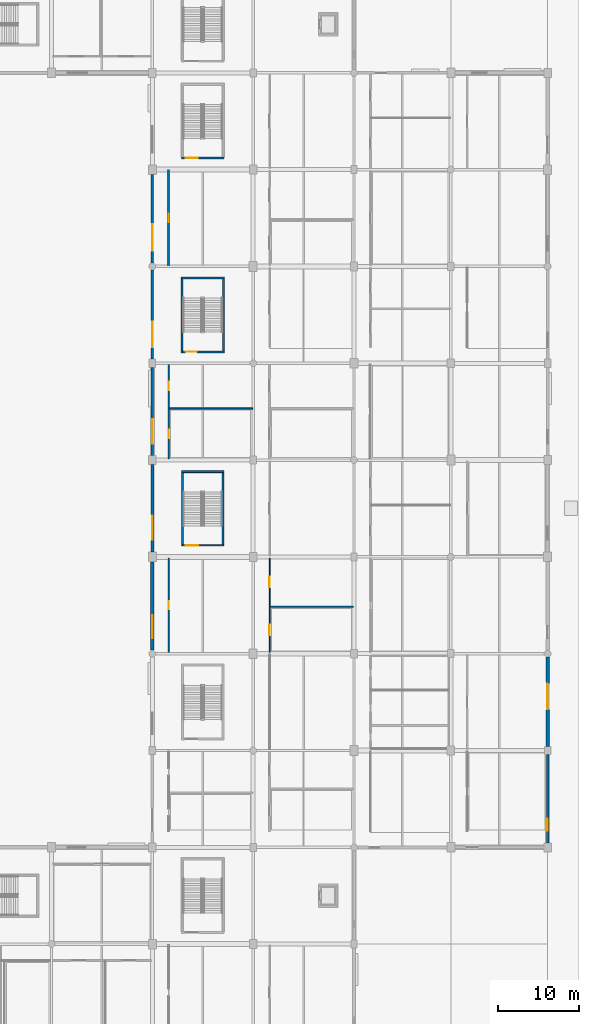
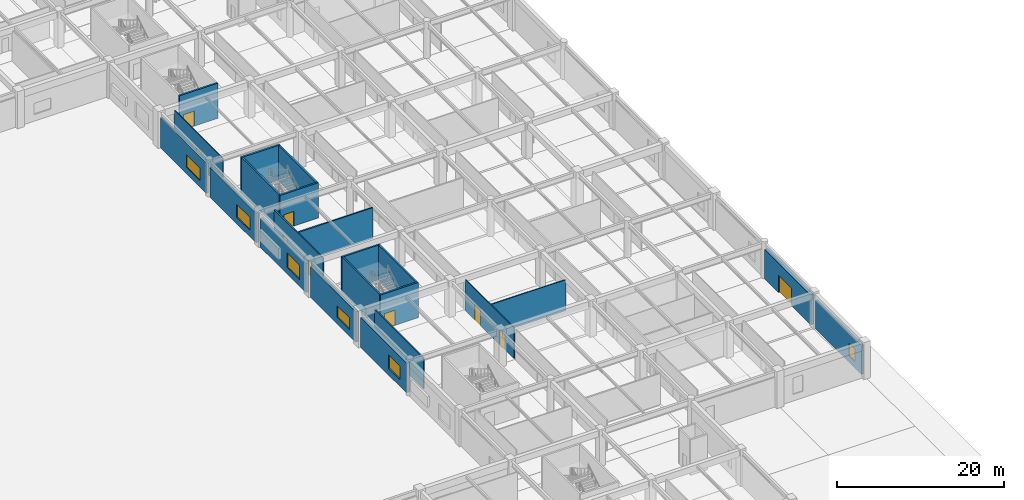
# One storey, part 25 of 69: 22 walls, 10 doors, 6 windows, 16 openings.
"""IFC4 building model written with IfcOpenShell, lengths in metres."""

from ifc_helpers import new_model, si_unit, direction, frame, frame_2d, origin, place, context, subcontext, project, spatial, rectangle, extrude, material, layer, layer_set, type_object, element, fill, save


model = new_model("IFC4")

# Units and contexts
model_context = context("Model", 3, precision=1e-05, world=origin(), true_north=direction((0.0, 1.0)))
body_context = subcontext(model_context, "Body", "Model", "MODEL_VIEW")
ifc_project = project(units=[si_unit("LENGTHUNIT", "METRE"), si_unit("AREAUNIT", "SQUARE_METRE"), si_unit("VOLUMEUNIT", "CUBIC_METRE"), si_unit("PLANEANGLEUNIT", "RADIAN"), si_unit("MASSUNIT", "GRAM", prefix="KILO")], contexts=[model_context])

# Site, building, storey
site_placement = place(None, origin())
site = spatial("IfcSite", under=ifc_project, at=site_placement, CompositionType="ELEMENT")
building_placement = place(site_placement, origin())
building = spatial("IfcBuilding", under=site, at=building_placement, Name="Kazenohara Klinker Stadium", CompositionType="ELEMENT")
storey_placement = place(building_placement, origin())
storey = spatial("IfcBuildingStorey", under=building, at=storey_placement, Name="L00", CompositionType="ELEMENT", Elevation=0.0)

# Wall, opening, door
ifc_material_1 = material(Name="Concrete C40/50", Category="concrete")
ifc_layer_1 = layer(ifc_material_1, 0.22998046875)
ifc_layer_set_1 = layer_set([ifc_layer_1], Name="Concrete C40/50")
wall_type_1 = type_object("IfcWallType", Name="WAL-CORE-230", PredefinedType="SHEAR", material=ifc_layer_set_1)
wall_1_placement = place(storey_placement, frame((178.6201171875, 73.43505859375, 0.0), z_axis=(0.0, 0.0, 1.0), x_axis=(1.0, 0.0, 0.0)))
wall_1 = element("IfcWall", 1, at=wall_1_placement, inside=storey, type_object=wall_type_1, Name="Stairwell shear wall ST22 L00 South", PredefinedType="SHEAR", context=body_context, shape_type="SweptSolid", body=[
    extrude(rectangle(XDim=5.259765625, YDim=0.22998046875, at=frame_2d((2.6298828125, 0.0))), origin(), (0.0, 0.0, 1.0), 5.139892578125),
])
opening_1_placement = place(wall_1_placement, frame((0.550048828125, 0.0, 0.0)))
opening_1 = element("IfcOpeningElement", 2, at=opening_1_placement, cuts=wall_1, Name="Opening SD02", PredefinedType="OPENING", context=body_context, shape_type="SweptSolid", body=[
    extrude(rectangle(XDim=1.5, YDim=2.199951171875, at=frame_2d((0.75, 1.10009765625))), frame((0.0, 0.125, 0.0), z_axis=(0.0, -1.0, 0.0), x_axis=(1.0, 0.0, 0.0)), (0.0, 0.0, 1.0), 0.25),
])
ifc_material_2 = material(Name="Flush painted steel fire door leaf", Category="steel")
door_type_1 = type_object("IfcDoorType", Name="DR-STR-1500x2200", OperationType="NOTDEFINED", PredefinedType="DOOR", material=ifc_material_2)
door_1_placement = place(opening_1_placement, origin())
door_1 = element("IfcDoor", 3, at=door_1_placement, inside=storey, type_object=door_type_1, Name="Escape stairwell fire door ST22-L00", OperationType="SINGLE_SWING_LEFT", OverallHeight=2.199951171875, OverallWidth=1.5, PredefinedType="DOOR", context=body_context, shape_type="SweptSolid", body=[
    extrude(rectangle(XDim=1.5, YDim=2.199951171875, at=frame_2d((0.75, 1.10009765625))), frame((0.0, 0.02490234375, 0.0), z_axis=(0.0, -1.0, 0.0), x_axis=(1.0, 0.0, 0.0)), (0.0, 0.0, 1.0), 0.050048828125),
])
fill(opening_1, door_1)

# Walls
wall_2_placement = place(storey_placement, frame((178.6201171875, 82.56494140625, 0.0), z_axis=(0.0, 0.0, 1.0), x_axis=(1.0, 0.0, 0.0)))
element("IfcWall", 4, at=wall_2_placement, inside=storey, type_object=wall_type_1, Name="Stairwell shear wall ST22 L00 North", PredefinedType="SHEAR", context=body_context, shape_type="SweptSolid", body=[
    extrude(rectangle(XDim=5.259765625, YDim=0.22998046875, at=frame_2d((2.6298828125, 0.0))), origin(), (0.0, 0.0, 1.0), 5.139892578125),
])
for number, where, z_axis, x_axis, name in (
    (5, (178.735107421875, 73.550048828125, 0.0), (0.0, 0.0, 1.0), (0.0, 1.0, 0.0), "Stairwell shear wall ST22 L00 West"),
    (6, (183.764892578125, 73.550048828125, 0.0), (0.0, 0.0, 1.0), (0.0, 1.0, 0.0), "Stairwell shear wall ST22 L00 East"),
):
    element("IfcWall", number, at=place(storey_placement, frame(where, z_axis=z_axis, x_axis=x_axis)), inside=storey, type_object=wall_type_1, Name=name, PredefinedType="SHEAR", context=body_context, shape_type="SweptSolid", body=[
        extrude(rectangle(XDim=8.89990234375, YDim=0.22998046875, at=frame_2d((4.449951171875, 0.0))), origin(), (0.0, 0.0, 1.0), 5.139892578125),
    ])

# Wall, opening, door
wall_3_placement = place(storey_placement, frame((178.590087890625, 121.43505859375, 0.0), z_axis=(0.0, 0.0, 1.0), x_axis=(1.0, 0.0, 0.0)))
wall_3 = element("IfcWall", 7, at=wall_3_placement, inside=storey, type_object=wall_type_1, Name="Stairwell shear wall ST24 L00 South", PredefinedType="SHEAR", context=body_context, shape_type="SweptSolid", body=[
    extrude(rectangle(XDim=5.31982421875, YDim=0.22998046875, at=frame_2d((2.659912109375, 0.0))), origin(), (0.0, 0.0, 1.0), 5.139892578125),
])
opening_2_placement = place(wall_3_placement, frame((0.550048828125, 0.0, 0.0)))
opening_2 = element("IfcOpeningElement", 8, at=opening_2_placement, cuts=wall_3, Name="Opening SD02", PredefinedType="OPENING", context=body_context, shape_type="SweptSolid", body=[
    extrude(rectangle(XDim=1.5, YDim=2.199951171875, at=frame_2d((0.75, 1.10009765625))), frame((0.0, 0.125, 0.0), z_axis=(0.0, -1.0, 0.0), x_axis=(1.0, 0.0, 0.0)), (0.0, 0.0, 1.0), 0.25),
])
door_2_placement = place(opening_2_placement, origin())
door_2 = element("IfcDoor", 9, at=door_2_placement, inside=storey, type_object=door_type_1, Name="Escape stairwell fire door ST24-L00", OperationType="SINGLE_SWING_LEFT", OverallHeight=2.199951171875, OverallWidth=1.5, PredefinedType="DOOR", context=body_context, shape_type="SweptSolid", body=[
    extrude(rectangle(XDim=1.5, YDim=2.199951171875, at=frame_2d((0.75, 1.10009765625))), frame((0.0, 0.02490234375, 0.0), z_axis=(0.0, -1.0, 0.0), x_axis=(1.0, 0.0, 0.0)), (0.0, 0.0, 1.0), 0.050048828125),
])
fill(opening_2, door_2)

ifc_layer_2 = layer(ifc_material_1, 0.25)
ifc_layer_set_2 = layer_set([ifc_layer_2], Name="Concrete C40/50")
wall_type_2 = type_object("IfcWallType", Name="WAL-CORE-250", PredefinedType="SHEAR", material=ifc_layer_set_2)
wall_4_placement = place(storey_placement, frame((178.580078125, 97.425048828125, 0.0), z_axis=(0.0, 0.0, 1.0), x_axis=(1.0, 0.0, 0.0)))
wall_4 = element("IfcWall", 10, at=wall_4_placement, inside=storey, type_object=wall_type_2, Name="Stairwell shear wall ST23 L00 South", PredefinedType="SHEAR", context=body_context, shape_type="SweptSolid", body=[
    extrude(rectangle(XDim=5.33984375, YDim=0.25, at=frame_2d((2.669921875, 0.0))), origin(), (0.0, 0.0, 1.0), 5.139892578125),
])
opening_3_placement = place(wall_4_placement, frame((0.550048828125, 0.0, 0.0)))
opening_3 = element("IfcOpeningElement", 11, at=opening_3_placement, cuts=wall_4, Name="Opening SD01", PredefinedType="OPENING", context=body_context, shape_type="SweptSolid", body=[
    extrude(rectangle(XDim=1.39990234375, YDim=2.14990234375, at=frame_2d((0.699951171875, 1.074951171875))), frame((0.0, 0.135009765625, 0.0), z_axis=(0.0, -1.0, 0.0), x_axis=(1.0, 0.0, 0.0)), (0.0, 0.0, 1.0), 0.27001953125),
])
door_type_2 = type_object("IfcDoorType", Name="DR-STR-1400x2150", OperationType="NOTDEFINED", PredefinedType="DOOR", material=ifc_material_2)
door_3_placement = place(opening_3_placement, origin())
door_3 = element("IfcDoor", 12, at=door_3_placement, inside=storey, type_object=door_type_2, Name="Escape stairwell fire door ST23-L00", OperationType="SINGLE_SWING_LEFT", OverallHeight=2.14990234375, OverallWidth=1.39990234375, PredefinedType="DOOR", context=body_context, shape_type="SweptSolid", body=[
    extrude(rectangle(XDim=1.39990234375, YDim=2.14990234375, at=frame_2d((0.699951171875, 1.074951171875))), frame((0.0, 0.02490234375, 0.0), z_axis=(0.0, -1.0, 0.0), x_axis=(1.0, 0.0, 0.0)), (0.0, 0.0, 1.0), 0.050048828125),
])
fill(opening_3, door_3)

# Walls
wall_5_placement = place(storey_placement, frame((178.580078125, 106.574951171875, 0.0), z_axis=(0.0, 0.0, 1.0), x_axis=(1.0, 0.0, 0.0)))
element("IfcWall", 13, at=wall_5_placement, inside=storey, type_object=wall_type_2, Name="Stairwell shear wall ST23 L00 North", PredefinedType="SHEAR", context=body_context, shape_type="SweptSolid", body=[
    extrude(rectangle(XDim=5.33984375, YDim=0.25, at=frame_2d((2.669921875, 0.0))), origin(), (0.0, 0.0, 1.0), 5.139892578125),
])
for number, where, z_axis, x_axis, name in (
    (14, (178.705078125, 97.550048828125, 0.0), (0.0, 0.0, 1.0), (0.0, 1.0, 0.0), "Stairwell shear wall ST23 L00 West"),
    (15, (183.794921875, 97.550048828125, 0.0), (0.0, 0.0, 1.0), (0.0, 1.0, 0.0), "Stairwell shear wall ST23 L00 East"),
):
    element("IfcWall", number, at=place(storey_placement, frame(where, z_axis=z_axis, x_axis=x_axis)), inside=storey, type_object=wall_type_2, Name=name, PredefinedType="SHEAR", context=body_context, shape_type="SweptSolid", body=[
        extrude(rectangle(XDim=8.89990234375, YDim=0.25, at=frame_2d((4.449951171875, 0.0))), origin(), (0.0, 0.0, 1.0), 5.139892578125),
    ])

# Wall, opening, window
ifc_material_3 = material(Name="Clinker brick masonry", Category="masonry")
ifc_layer_3 = layer(ifc_material_3, 0.280029296875)
ifc_layer_set_3 = layer_set([ifc_layer_3], Name="Clinker brick masonry")
wall_type_3 = type_object("IfcWallType", Name="WAL-EXT-CB280", PredefinedType="SOLIDWALL", material=ifc_layer_set_3)
wall_6_placement = place(storey_placement, frame((175.0, 108.428955078125, 0.0), z_axis=(0.0, 0.0, 1.0), x_axis=(0.0, 1.0, 0.0)))
wall_6 = element("IfcWall", 16, at=wall_6_placement, inside=storey, type_object=wall_type_3, Name="Clinker brick cavity wall EW06 L00 Y14-9", PredefinedType="SOLIDWALL", context=body_context, shape_type="SweptSolid", body=[
    extrude(rectangle(XDim=10.967041015625, YDim=0.280029296875, at=frame_2d((5.4833984375, 0.0))), origin(), (0.0, 0.0, 1.0), 4.43994140625),
])
opening_4_placement = place(wall_6_placement, frame((1.5, 0.0, 0.949951171875)))
opening_4 = element("IfcOpeningElement", 17, at=opening_4_placement, cuts=wall_6, Name="Opening W33", PredefinedType="OPENING", context=body_context, shape_type="SweptSolid", body=[
    extrude(rectangle(XDim=3.300048828125, YDim=1.800048828125, at=frame_2d((1.64990234375, 0.89990234375))), frame((0.0, 0.14990234375, 0.0), z_axis=(0.0, -1.0, 0.0), x_axis=(1.0, 0.0, 0.0)), (0.0, 0.0, 1.0), 0.300048828125),
])
ifc_material_4 = material(Name="Dark bronze aluminium frame and triple glazing", Category="aluminium")
window_type_1 = type_object("IfcWindowType", Name="WIN-AS-33", PartitioningType="SINGLE_PANEL", PredefinedType="WINDOW", material=ifc_material_4)
window_1_placement = place(opening_4_placement, origin())
window_1 = element("IfcWindow", 18, at=window_1_placement, inside=storey, type_object=window_type_1, Name="Horizontal-mullion ladder window W33 L00 Y14-9", OverallHeight=1.800048828125, OverallWidth=3.300048828125, PartitioningType="SINGLE_PANEL", PredefinedType="WINDOW", context=body_context, shape_type="SweptSolid", body=[
    extrude(rectangle(XDim=3.300048828125, YDim=1.800048828125, at=frame_2d((1.64990234375, 0.89990234375))), frame((0.0, 0.030029296875, 0.0), z_axis=(0.0, -1.0, 0.0), x_axis=(1.0, 0.0, 0.0)), (0.0, 0.0, 1.0), 0.06005859375),
])
fill(opening_4, window_1)

wall_7_placement = place(storey_placement, frame((224.0, 36.553955078125, 0.0), z_axis=(0.0, 0.0, 1.0), x_axis=(0.0, 1.0, 0.0)))
wall_7 = element("IfcWall", 19, at=wall_7_placement, inside=storey, type_object=wall_type_3, Name="Clinker brick cavity wall EW06 L00 Y18-3", PredefinedType="SOLIDWALL", context=body_context, shape_type="SweptSolid", body=[
    extrude(rectangle(XDim=10.942138671875, YDim=0.280029296875, at=frame_2d((5.47119140625, 0.0))), origin(), (0.0, 0.0, 1.0), 4.239990234375),
])
opening_5_placement = place(wall_7_placement, frame((1.5, 0.0, 0.949951171875)))
opening_5 = element("IfcOpeningElement", 20, at=opening_5_placement, cuts=wall_7, Name="Opening W09", PredefinedType="OPENING", context=body_context, shape_type="SweptSolid", body=[
    extrude(rectangle(XDim=1.5, YDim=1.800048828125, at=frame_2d((0.75, 0.89990234375))), frame((0.0, 0.14990234375, 0.0), z_axis=(0.0, -1.0, 0.0), x_axis=(1.0, 0.0, 0.0)), (0.0, 0.0, 1.0), 0.300048828125),
])
window_type_2 = type_object("IfcWindowType", Name="WIN-AS-09", PartitioningType="SINGLE_PANEL", PredefinedType="WINDOW", material=ifc_material_4)
window_2_placement = place(opening_5_placement, origin())
window_2 = element("IfcWindow", 21, at=window_2_placement, inside=storey, type_object=window_type_2, Name="Horizontal-mullion ladder window W09 L00 Y18-3", OverallHeight=1.800048828125, OverallWidth=1.5, PartitioningType="SINGLE_PANEL", PredefinedType="WINDOW", context=body_context, shape_type="SweptSolid", body=[
    extrude(rectangle(XDim=1.5, YDim=1.800048828125, at=frame_2d((0.75, 0.89990234375))), frame((0.0, 0.030029296875, 0.0), z_axis=(0.0, -1.0, 0.0), x_axis=(1.0, 0.0, 0.0)), (0.0, 0.0, 1.0), 0.06005859375),
])
fill(opening_5, window_2)

ifc_layer_4 = layer(ifc_material_3, 0.31005859375)
ifc_layer_set_4 = layer_set([ifc_layer_4], Name="Clinker brick masonry")
wall_type_4 = type_object("IfcWallType", Name="WAL-EXT-CB310", PredefinedType="SOLIDWALL", material=ifc_layer_set_4)
wall_8_placement = place(storey_placement, frame((175.0, 96.50390625, 0.0), z_axis=(0.0, 0.0, 1.0), x_axis=(0.0, 1.0, 0.0)))
wall_8 = element("IfcWall", 22, at=wall_8_placement, inside=storey, type_object=wall_type_4, Name="Clinker brick cavity wall EW05 L00 Y14-8", PredefinedType="SOLIDWALL", context=body_context, shape_type="SweptSolid", body=[
    extrude(rectangle(XDim=11.067138671875, YDim=0.31005859375, at=frame_2d((5.53369140625, 0.0))), origin(), (0.0, 0.0, 1.0), 4.340087890625),
])
opening_6_placement = place(wall_8_placement, frame((1.5, 0.0, 0.949951171875)))
opening_6 = element("IfcOpeningElement", 23, at=opening_6_placement, cuts=wall_8, Name="Opening W32", PredefinedType="OPENING", context=body_context, shape_type="SweptSolid", body=[
    extrude(rectangle(XDim=3.14990234375, YDim=1.89990234375, at=frame_2d((1.574951171875, 0.949951171875))), frame((0.0, 0.1650390625, 0.0), z_axis=(0.0, -1.0, 0.0), x_axis=(1.0, 0.0, 0.0)), (0.0, 0.0, 1.0), 0.330078125),
])
window_type_3 = type_object("IfcWindowType", Name="WIN-AS-32", PartitioningType="SINGLE_PANEL", PredefinedType="WINDOW", material=ifc_material_4)
window_3_placement = place(opening_6_placement, origin())
window_3 = element("IfcWindow", 24, at=window_3_placement, inside=storey, type_object=window_type_3, Name="Horizontal-mullion ladder window W32 L00 Y14-8", OverallHeight=1.89990234375, OverallWidth=3.14990234375, PartitioningType="SINGLE_PANEL", PredefinedType="WINDOW", context=body_context, shape_type="SweptSolid", body=[
    extrude(rectangle(XDim=3.14990234375, YDim=1.89990234375, at=frame_2d((1.574951171875, 0.949951171875))), frame((0.0, 0.030029296875, 0.0), z_axis=(0.0, -1.0, 0.0), x_axis=(1.0, 0.0, 0.0)), (0.0, 0.0, 1.0), 0.06005859375),
])
fill(opening_6, window_3)

ifc_layer_5 = layer(ifc_material_3, 0.340087890625)
ifc_layer_set_5 = layer_set([ifc_layer_5], Name="Clinker brick masonry")
wall_type_5 = type_object("IfcWallType", Name="WAL-EXT-CB340", PredefinedType="SOLIDWALL", material=ifc_layer_set_5)
wall_9_placement = place(storey_placement, frame((175.0, 84.553955078125, 0.0), z_axis=(0.0, 0.0, 1.0), x_axis=(0.0, 1.0, 0.0)))
wall_9 = element("IfcWall", 25, at=wall_9_placement, inside=storey, type_object=wall_type_5, Name="Clinker brick cavity wall EW04 L00 Y14-7", PredefinedType="SOLIDWALL", context=body_context, shape_type="SweptSolid", body=[
    extrude(rectangle(XDim=10.942138671875, YDim=0.340087890625, at=frame_2d((5.47119140625, 0.0))), origin(), (0.0, 0.0, 1.0), 4.239990234375),
])
opening_7_placement = place(wall_9_placement, frame((1.5, 0.0, 0.949951171875)))
opening_7 = element("IfcOpeningElement", 26, at=opening_7_placement, cuts=wall_9, Name="Opening W31", PredefinedType="OPENING", context=body_context, shape_type="SweptSolid", body=[
    extrude(rectangle(XDim=3.0, YDim=2.14990234375, at=frame_2d((1.5, 1.074951171875))), frame((0.0, 0.18017578125, 0.0), z_axis=(0.0, -1.0, 0.0), x_axis=(1.0, 0.0, 0.0)), (0.0, 0.0, 1.0), 0.360107421875),
])
window_type_4 = type_object("IfcWindowType", Name="WIN-AS-31", PartitioningType="SINGLE_PANEL", PredefinedType="WINDOW", material=ifc_material_4)
window_4_placement = place(opening_7_placement, origin())
window_4 = element("IfcWindow", 27, at=window_4_placement, inside=storey, type_object=window_type_4, Name="Horizontal-mullion ladder window W31 L00 Y14-7", OverallHeight=2.14990234375, OverallWidth=3.0, PartitioningType="SINGLE_PANEL", PredefinedType="WINDOW", context=body_context, shape_type="SweptSolid", body=[
    extrude(rectangle(XDim=3.0, YDim=2.14990234375, at=frame_2d((1.5, 1.074951171875))), frame((0.0, 0.030029296875, 0.0), z_axis=(0.0, -1.0, 0.0), x_axis=(1.0, 0.0, 0.0)), (0.0, 0.0, 1.0), 0.06005859375),
])
fill(opening_7, window_4)

ifc_layer_6 = layer(ifc_material_3, 0.3701171875)
ifc_layer_set_6 = layer_set([ifc_layer_6], Name="Clinker brick masonry")
wall_type_6 = type_object("IfcWallType", Name="WAL-EXT-CB370", PredefinedType="SOLIDWALL", material=ifc_layer_set_6)
wall_10_placement = place(storey_placement, frame((175.0, 72.60400390625, 0.0), z_axis=(0.0, 0.0, 1.0), x_axis=(0.0, 1.0, 0.0)))
wall_10 = element("IfcWall", 28, at=wall_10_placement, inside=storey, type_object=wall_type_6, Name="Clinker brick cavity wall EW03 L00 Y14-6", PredefinedType="SOLIDWALL", context=body_context, shape_type="SweptSolid", body=[
    extrude(rectangle(XDim=10.842041015625, YDim=0.3701171875, at=frame_2d((5.4208984375, 0.0))), origin(), (0.0, 0.0, 1.0), 4.43994140625),
])
opening_8_placement = place(wall_10_placement, frame((1.5, 0.0, 0.949951171875)))
opening_8 = element("IfcOpeningElement", 29, at=opening_8_placement, cuts=wall_10, Name="Opening W30", PredefinedType="OPENING", context=body_context, shape_type="SweptSolid", body=[
    extrude(rectangle(XDim=3.0, YDim=1.699951171875, at=frame_2d((1.5, 0.85009765625))), frame((0.0, 0.195068359375, 0.0), z_axis=(0.0, -1.0, 0.0), x_axis=(1.0, 0.0, 0.0)), (0.0, 0.0, 1.0), 0.39013671875),
])
window_type_5 = type_object("IfcWindowType", Name="WIN-AS-30", PartitioningType="SINGLE_PANEL", PredefinedType="WINDOW", material=ifc_material_4)
window_5_placement = place(opening_8_placement, origin())
window_5 = element("IfcWindow", 30, at=window_5_placement, inside=storey, type_object=window_type_5, Name="Horizontal-mullion ladder window W30 L00 Y14-6", OverallHeight=1.699951171875, OverallWidth=3.0, PartitioningType="SINGLE_PANEL", PredefinedType="WINDOW", context=body_context, shape_type="SweptSolid", body=[
    extrude(rectangle(XDim=3.0, YDim=1.699951171875, at=frame_2d((1.5, 0.85009765625))), frame((0.0, 0.030029296875, 0.0), z_axis=(0.0, -1.0, 0.0), x_axis=(1.0, 0.0, 0.0)), (0.0, 0.0, 1.0), 0.06005859375),
])
fill(opening_8, window_5)

ifc_layer_7 = layer(ifc_material_3, 0.409912109375)
ifc_layer_set_7 = layer_set([ifc_layer_7], Name="Clinker brick masonry")
wall_type_7 = type_object("IfcWallType", Name="WAL-EXT-CB410", PredefinedType="SOLIDWALL", material=ifc_layer_set_7)
wall_11_placement = place(storey_placement, frame((175.0, 60.428955078125, 0.0), z_axis=(0.0, 0.0, 1.0), x_axis=(0.0, 1.0, 0.0)))
wall_11 = element("IfcWall", 31, at=wall_11_placement, inside=storey, type_object=wall_type_7, Name="Clinker brick cavity wall EW02 L00 Y14-5", PredefinedType="SOLIDWALL", context=body_context, shape_type="SweptSolid", body=[
    extrude(rectangle(XDim=10.967041015625, YDim=0.409912109375, at=frame_2d((5.4833984375, 0.0))), origin(), (0.0, 0.0, 1.0), 4.340087890625),
])
opening_9_placement = place(wall_11_placement, frame((1.5, 0.0, 0.949951171875)))
opening_9 = element("IfcOpeningElement", 32, at=opening_9_placement, cuts=wall_11, Name="Opening W29", PredefinedType="OPENING", context=body_context, shape_type="SweptSolid", body=[
    extrude(rectangle(XDim=2.85009765625, YDim=2.0, at=frame_2d((1.425048828125, 1.0))), frame((0.0, 0.21484375, 0.0), z_axis=(0.0, -1.0, 0.0), x_axis=(1.0, 0.0, 0.0)), (0.0, 0.0, 1.0), 0.429931640625),
])
window_type_6 = type_object("IfcWindowType", Name="WIN-AS-29", PartitioningType="SINGLE_PANEL", PredefinedType="WINDOW", material=ifc_material_4)
window_6_placement = place(opening_9_placement, origin())
window_6 = element("IfcWindow", 33, at=window_6_placement, inside=storey, type_object=window_type_6, Name="Horizontal-mullion ladder window W29 L00 Y14-5", OverallHeight=2.0, OverallWidth=2.85009765625, PartitioningType="SINGLE_PANEL", PredefinedType="WINDOW", context=body_context, shape_type="SweptSolid", body=[
    extrude(rectangle(XDim=2.85009765625, YDim=2.0, at=frame_2d((1.425048828125, 1.0))), frame((0.0, 0.030029296875, 0.0), z_axis=(0.0, -1.0, 0.0), x_axis=(1.0, 0.0, 0.0)), (0.0, 0.0, 1.0), 0.06005859375),
])
fill(opening_9, window_6)

# Wall, opening, door
ifc_layer_8 = layer(ifc_material_3, 0.449951171875)
ifc_layer_set_8 = layer_set([ifc_layer_8], Name="Clinker brick masonry")
wall_type_8 = type_object("IfcWallType", Name="WAL-EXT-CB450", PredefinedType="SOLIDWALL", material=ifc_layer_set_8)
wall_12_placement = place(storey_placement, frame((224.0, 48.50390625, 0.0), z_axis=(0.0, 0.0, 1.0), x_axis=(0.0, 1.0, 0.0)))
wall_12 = element("IfcWall", 34, at=wall_12_placement, inside=storey, type_object=wall_type_8, Name="Clinker brick cavity wall EW01 L00 Y18-4", PredefinedType="SOLIDWALL", context=body_context, shape_type="SweptSolid", body=[
    extrude(rectangle(XDim=11.067138671875, YDim=0.449951171875, at=frame_2d((5.53369140625, 0.0))), origin(), (0.0, 0.0, 1.0), 4.340087890625),
])
opening_10_placement = place(wall_12_placement, frame((7.79736328125, 0.0, 0.0), z_axis=(0.0, 0.0, 1.0), x_axis=(-1.0, 0.0, 0.0)))
opening_10 = element("IfcOpeningElement", 35, at=opening_10_placement, cuts=wall_12, Name="Opening E07", PredefinedType="OPENING", context=body_context, shape_type="SweptSolid", body=[
    extrude(rectangle(XDim=3.199951171875, YDim=2.60009765625, at=frame_2d((1.60009765625, 1.300048828125))), frame((0.0, 0.23486328125, 0.0), z_axis=(0.0, -1.0, 0.0), x_axis=(1.0, 0.0, 0.0)), (0.0, 0.0, 1.0), 0.469970703125),
])
ifc_material_5 = material(Name="Bronze-anodised aluminium and tempered glass", Category="aluminium")
door_type_3 = type_object("IfcDoorType", Name="DR-ENT-3200x2600", OperationType="NOTDEFINED", PredefinedType="DOOR", material=ifc_material_5)
door_4_placement = place(opening_10_placement, origin())
door_4 = element("IfcDoor", 36, at=door_4_placement, inside=storey, type_object=door_type_3, Name="Main spectator entrance E07", OperationType="DOUBLE_DOOR_SINGLE_SWING", OverallHeight=2.60009765625, OverallWidth=3.199951171875, PredefinedType="DOOR", context=body_context, shape_type="SweptSolid", body=[
    extrude(rectangle(XDim=3.199951171875, YDim=2.60009765625, at=frame_2d((1.60009765625, 1.300048828125))), frame((0.0, 0.02490234375, 0.0), z_axis=(0.0, -1.0, 0.0), x_axis=(1.0, 0.0, 0.0)), (0.0, 0.0, 1.0), 0.050048828125),
])
fill(opening_10, door_4)

ifc_material_6 = material(Name="Fire-rated gypsum board on acoustic studs", Category="gypsum")
ifc_layer_9 = layer(ifc_material_6, 0.110107421875)
ifc_layer_set_9 = layer_set([ifc_layer_9], Name="Fire-rated gypsum board on acoustic studs")
wall_type_9 = type_object("IfcWallType", Name="WAL-INT-P110", PredefinedType="PARTITIONING", material=ifc_layer_set_9)
wall_13_placement = place(storey_placement, frame((177.0400390625, 108.159912109375, 0.0), z_axis=(0.0, 0.0, 1.0), x_axis=(0.0, 1.0, 0.0)))
wall_13 = element("IfcWall", 37, at=wall_13_placement, inside=storey, type_object=wall_type_9, Name="Interior partition wall PT01 SPC-L00-14-09-1-1", PredefinedType="PARTITIONING", context=body_context, shape_type="SweptSolid", body=[
    extrude(rectangle(XDim=11.68017578125, YDim=0.110107421875, at=frame_2d((5.840087890625, 0.0))), origin(), (0.0, 0.0, 1.0), 4.52001953125),
])
opening_11_placement = place(wall_13_placement, frame((6.385009765625, 0.0, 0.0), z_axis=(0.0, 0.0, 1.0), x_axis=(-1.0, 0.0, 0.0)))
opening_11 = element("IfcOpeningElement", 38, at=opening_11_placement, cuts=wall_13, Name="Opening ID08", PredefinedType="OPENING", context=body_context, shape_type="SweptSolid", body=[
    extrude(rectangle(XDim=1.090087890625, YDim=2.159912109375, at=frame_2d((0.544921875, 1.080078125))), frame((0.0, 0.06494140625, 0.0), z_axis=(0.0, -1.0, 0.0), x_axis=(1.0, 0.0, 0.0)), (0.0, 0.0, 1.0), 0.130126953125),
])
ifc_material_7 = material(Name="Solid-core Hokkaido oak fire door", Category="wood")
door_type_4 = type_object("IfcDoorType", Name="DR-INT-08", OperationType="NOTDEFINED", PredefinedType="DOOR", material=ifc_material_7)
door_5_placement = place(opening_11_placement, origin())
door_5 = element("IfcDoor", 39, at=door_5_placement, inside=storey, type_object=door_type_4, Name="Interior door ID08 Civic Stadium Heritage Museum Exhibition Gallery L00-1409A", OperationType="SINGLE_SWING_LEFT", OverallHeight=2.159912109375, OverallWidth=1.090087890625, PredefinedType="DOOR", context=body_context, shape_type="SweptSolid", body=[
    extrude(rectangle(XDim=1.090087890625, YDim=2.159912109375, at=frame_2d((0.544921875, 1.080078125))), frame((0.0, 0.02490234375, 0.0), z_axis=(0.0, -1.0, 0.0), x_axis=(1.0, 0.0, 0.0)), (0.0, 0.0, 1.0), 0.050048828125),
])
fill(opening_11, door_5)

# Wall, openings, doors
ifc_layer_10 = layer(ifc_material_6, 0.1201171875)
ifc_layer_set_10 = layer_set([ifc_layer_10], Name="Fire-rated gypsum board on acoustic studs")
wall_type_10 = type_object("IfcWallType", Name="WAL-INT-P120", PredefinedType="PARTITIONING", material=ifc_layer_set_10)
wall_14_placement = place(storey_placement, frame((189.5400390625, 60.159912109375, 0.0), z_axis=(0.0, 0.0, 1.0), x_axis=(0.0, 1.0, 0.0)))
wall_14 = element("IfcWall", 40, at=wall_14_placement, inside=storey, type_object=wall_type_10, Name="Interior partition wall PT02 SPC-L00-15-05-1-1", PredefinedType="PARTITIONING", context=body_context, shape_type="SweptSolid", body=[
    extrude(rectangle(XDim=11.68017578125, YDim=0.1201171875, at=frame_2d((5.840087890625, 0.0))), origin(), (0.0, 0.0, 1.0), 4.52001953125),
])
opening_12_placement = place(wall_14_placement, frame((3.4423828125, 0.0, 0.0), z_axis=(0.0, 0.0, 1.0), x_axis=(-1.0, 0.0, 0.0)))
opening_12 = element("IfcOpeningElement", 41, at=opening_12_placement, cuts=wall_14, Name="Opening ID15", PredefinedType="OPENING", context=body_context, shape_type="SweptSolid", body=[
    extrude(rectangle(XDim=1.300048828125, YDim=2.239990234375, at=frame_2d((0.64990234375, 1.1201171875))), frame((0.0, 0.070068359375, 0.0), z_axis=(0.0, -1.0, 0.0), x_axis=(1.0, 0.0, 0.0)), (0.0, 0.0, 1.0), 0.14013671875),
])
opening_13_placement = place(wall_14_placement, frame((9.37744140625, 0.0, 0.0), z_axis=(0.0, 0.0, 1.0), x_axis=(-1.0, 0.0, 0.0)))
opening_13 = element("IfcOpeningElement", 42, at=opening_13_placement, cuts=wall_14, Name="Opening ID16", PredefinedType="OPENING", context=body_context, shape_type="SweptSolid", body=[
    extrude(rectangle(XDim=1.330078125, YDim=2.219970703125, at=frame_2d((0.6650390625, 1.10986328125))), frame((0.0, 0.070068359375, 0.0), z_axis=(0.0, -1.0, 0.0), x_axis=(1.0, 0.0, 0.0)), (0.0, 0.0, 1.0), 0.14013671875),
])
door_type_5 = type_object("IfcDoorType", Name="DR-INT-15", OperationType="NOTDEFINED", PredefinedType="DOOR", material=ifc_material_7)
door_6_placement = place(opening_12_placement, origin())
door_6 = element("IfcDoor", 43, at=door_6_placement, inside=storey, type_object=door_type_5, Name="Interior door ID15 Spectator First-Aid Medical Clinic L00-1505A", OperationType="SINGLE_SWING_RIGHT", OverallHeight=2.239990234375, OverallWidth=1.300048828125, PredefinedType="DOOR", context=body_context, shape_type="SweptSolid", body=[
    extrude(rectangle(XDim=1.300048828125, YDim=2.239990234375, at=frame_2d((0.64990234375, 1.1201171875))), frame((0.0, 0.02490234375, 0.0), z_axis=(0.0, -1.0, 0.0), x_axis=(1.0, 0.0, 0.0)), (0.0, 0.0, 1.0), 0.050048828125),
])
fill(opening_12, door_6)
door_type_6 = type_object("IfcDoorType", Name="DR-INT-16", OperationType="NOTDEFINED", PredefinedType="DOOR", material=ifc_material_7)
door_7_placement = place(opening_13_placement, origin())
door_7 = element("IfcDoor", 44, at=door_7_placement, inside=storey, type_object=door_type_6, Name="Interior door ID16 Winter-Garden Retail Galleria Boutique L00-1505B", OperationType="SINGLE_SWING_LEFT", OverallHeight=2.219970703125, OverallWidth=1.330078125, PredefinedType="DOOR", context=body_context, shape_type="SweptSolid", body=[
    extrude(rectangle(XDim=1.330078125, YDim=2.219970703125, at=frame_2d((0.6650390625, 1.10986328125))), frame((0.0, 0.02490234375, 0.0), z_axis=(0.0, -1.0, 0.0), x_axis=(1.0, 0.0, 0.0)), (0.0, 0.0, 1.0), 0.050048828125),
])
fill(opening_13, door_7)

# Wall
ifc_layer_11 = layer(ifc_material_6, 0.139892578125)
ifc_layer_set_11 = layer_set([ifc_layer_11], Name="Fire-rated gypsum board on acoustic studs")
wall_type_11 = type_object("IfcWallType", Name="WAL-INT-P140", PredefinedType="PARTITIONING", material=ifc_layer_set_11)
wall_15_placement = place(storey_placement, frame((189.60498046875, 65.82470703125, 0.0), z_axis=(0.0, 0.0, 1.0), x_axis=(1.0, 0.0, 0.0)))
element("IfcWall", 45, at=wall_15_placement, inside=storey, type_object=wall_type_11, Name="Interior partition wall PT03 SPC-L00-15-05-1-2", PredefinedType="PARTITIONING", context=body_context, shape_type="SweptSolid", body=[
    extrude(rectangle(XDim=10.31494140625, YDim=0.139892578125, at=frame_2d((5.157470703125, 0.0))), origin(), (0.0, 0.0, 1.0), 4.52001953125),
])

# Wall, opening, door
ifc_layer_12 = layer(ifc_material_6, 0.14990234375)
ifc_layer_set_12 = layer_set([ifc_layer_12], Name="Fire-rated gypsum board on acoustic studs")
wall_type_12 = type_object("IfcWallType", Name="WAL-INT-P150", PredefinedType="PARTITIONING", material=ifc_layer_set_12)
wall_16_placement = place(storey_placement, frame((177.0400390625, 60.159912109375, 0.0), z_axis=(0.0, 0.0, 1.0), x_axis=(0.0, 1.0, 0.0)))
wall_16 = element("IfcWall", 46, at=wall_16_placement, inside=storey, type_object=wall_type_12, Name="Interior partition wall PT04 SPC-L00-14-05-1-1", PredefinedType="PARTITIONING", context=body_context, shape_type="SweptSolid", body=[
    extrude(rectangle(XDim=11.68017578125, YDim=0.14990234375, at=frame_2d((5.840087890625, 0.0))), origin(), (0.0, 0.0, 1.0), 4.52001953125),
])
opening_14_placement = place(wall_16_placement, frame((6.340087890625, 0.0, 0.0), z_axis=(0.0, 0.0, 1.0), x_axis=(-1.0, 0.0, 0.0)))
opening_14 = element("IfcOpeningElement", 47, at=opening_14_placement, cuts=wall_16, Name="Opening ID05", PredefinedType="OPENING", context=body_context, shape_type="SweptSolid", body=[
    extrude(rectangle(XDim=1.0, YDim=2.139892578125, at=frame_2d((0.5, 1.06982421875))), frame((0.0, 0.0849609375, 0.0), z_axis=(0.0, -1.0, 0.0), x_axis=(1.0, 0.0, 0.0)), (0.0, 0.0, 1.0), 0.169921875),
])
door_type_7 = type_object("IfcDoorType", Name="DR-INT-05", OperationType="NOTDEFINED", PredefinedType="DOOR", material=ifc_material_7)
door_8_placement = place(opening_14_placement, origin())
door_8 = element("IfcDoor", 48, at=door_8_placement, inside=storey, type_object=door_type_7, Name="Interior door ID05 Supporter Merchandising Retail Shop L00-1405A", OperationType="SINGLE_SWING_RIGHT", OverallHeight=2.139892578125, OverallWidth=1.0, PredefinedType="DOOR", context=body_context, shape_type="SweptSolid", body=[
    extrude(rectangle(XDim=1.0, YDim=2.139892578125, at=frame_2d((0.5, 1.06982421875))), frame((0.0, 0.02490234375, 0.0), z_axis=(0.0, -1.0, 0.0), x_axis=(1.0, 0.0, 0.0)), (0.0, 0.0, 1.0), 0.050048828125),
])
fill(opening_14, door_8)

# Wall, openings, doors
ifc_layer_13 = layer(ifc_material_6, 0.169921875)
ifc_layer_set_13 = layer_set([ifc_layer_13], Name="Fire-rated gypsum board on acoustic studs")
wall_type_13 = type_object("IfcWallType", Name="WAL-INT-P170", PredefinedType="PARTITIONING", material=ifc_layer_set_13)
wall_17_placement = place(storey_placement, frame((177.0400390625, 84.159912109375, 0.0), z_axis=(0.0, 0.0, 1.0), x_axis=(0.0, 1.0, 0.0)))
wall_17 = element("IfcWall", 49, at=wall_17_placement, inside=storey, type_object=wall_type_13, Name="Interior partition wall PT05 SPC-L00-14-07-1-1", PredefinedType="PARTITIONING", context=body_context, shape_type="SweptSolid", body=[
    extrude(rectangle(XDim=11.68017578125, YDim=0.169921875, at=frame_2d((5.840087890625, 0.0))), origin(), (0.0, 0.0, 1.0), 4.52001953125),
])
opening_15_placement = place(wall_17_placement, frame((3.599365234375, 0.0, 0.0), z_axis=(0.0, 0.0, 1.0), x_axis=(-1.0, 0.0, 0.0)))
opening_15 = element("IfcOpeningElement", 50, at=opening_15_placement, cuts=wall_17, Name="Opening ID06", PredefinedType="OPENING", context=body_context, shape_type="SweptSolid", body=[
    extrude(rectangle(XDim=1.030029296875, YDim=2.1201171875, at=frame_2d((0.51513671875, 1.06005859375))), frame((0.0, 0.094970703125, 0.0), z_axis=(0.0, -1.0, 0.0), x_axis=(1.0, 0.0, 0.0)), (0.0, 0.0, 1.0), 0.18994140625),
])
opening_16_placement = place(wall_17_placement, frame((9.534423828125, 0.0, 0.0), z_axis=(0.0, 0.0, 1.0), x_axis=(-1.0, 0.0, 0.0)))
opening_16 = element("IfcOpeningElement", 51, at=opening_16_placement, cuts=wall_17, Name="Opening ID07", PredefinedType="OPENING", context=body_context, shape_type="SweptSolid", body=[
    extrude(rectangle(XDim=1.06005859375, YDim=2.14990234375, at=frame_2d((0.530029296875, 1.074951171875))), frame((0.0, 0.094970703125, 0.0), z_axis=(0.0, -1.0, 0.0), x_axis=(1.0, 0.0, 0.0)), (0.0, 0.0, 1.0), 0.18994140625),
])
door_type_8 = type_object("IfcDoorType", Name="DR-INT-06", OperationType="NOTDEFINED", PredefinedType="DOOR", material=ifc_material_7)
door_9_placement = place(opening_15_placement, origin())
door_9 = element("IfcDoor", 52, at=door_9_placement, inside=storey, type_object=door_type_8, Name="Interior door ID06 Spectator First-Aid Medical Clinic L00-1407A", OperationType="SINGLE_SWING_LEFT", OverallHeight=2.1201171875, OverallWidth=1.030029296875, PredefinedType="DOOR", context=body_context, shape_type="SweptSolid", body=[
    extrude(rectangle(XDim=1.030029296875, YDim=2.1201171875, at=frame_2d((0.51513671875, 1.06005859375))), frame((0.0, 0.02490234375, 0.0), z_axis=(0.0, -1.0, 0.0), x_axis=(1.0, 0.0, 0.0)), (0.0, 0.0, 1.0), 0.050048828125),
])
fill(opening_15, door_9)
door_type_9 = type_object("IfcDoorType", Name="DR-INT-07", OperationType="NOTDEFINED", PredefinedType="DOOR", material=ifc_material_7)
door_10_placement = place(opening_16_placement, origin())
door_10 = element("IfcDoor", 53, at=door_10_placement, inside=storey, type_object=door_type_9, Name="Interior door ID07 Winter-Garden Retail Galleria Boutique L00-1407B", OperationType="SINGLE_SWING_RIGHT", OverallHeight=2.14990234375, OverallWidth=1.06005859375, PredefinedType="DOOR", context=body_context, shape_type="SweptSolid", body=[
    extrude(rectangle(XDim=1.06005859375, YDim=2.14990234375, at=frame_2d((0.530029296875, 1.074951171875))), frame((0.0, 0.02490234375, 0.0), z_axis=(0.0, -1.0, 0.0), x_axis=(1.0, 0.0, 0.0)), (0.0, 0.0, 1.0), 0.050048828125),
])
fill(opening_16, door_10)

# Wall
ifc_layer_14 = layer(ifc_material_6, 0.18994140625)
ifc_layer_set_14 = layer_set([ifc_layer_14], Name="Fire-rated gypsum board on acoustic studs")
wall_type_14 = type_object("IfcWallType", Name="WAL-INT-P190", PredefinedType="PARTITIONING", material=ifc_layer_set_14)
wall_18_placement = place(storey_placement, frame((177.1298828125, 90.40869140625, 0.0), z_axis=(0.0, 0.0, 1.0), x_axis=(1.0, 0.0, 0.0)))
element("IfcWall", 54, at=wall_18_placement, inside=storey, type_object=wall_type_14, Name="Interior partition wall PT06 SPC-L00-14-07-1-2", PredefinedType="PARTITIONING", context=body_context, shape_type="SweptSolid", body=[
    extrude(rectangle(XDim=10.2900390625, YDim=0.18994140625, at=frame_2d((5.14501953125, 0.0))), origin(), (0.0, 0.0, 1.0), 4.52001953125),
])

save(model, "model.ifc")
